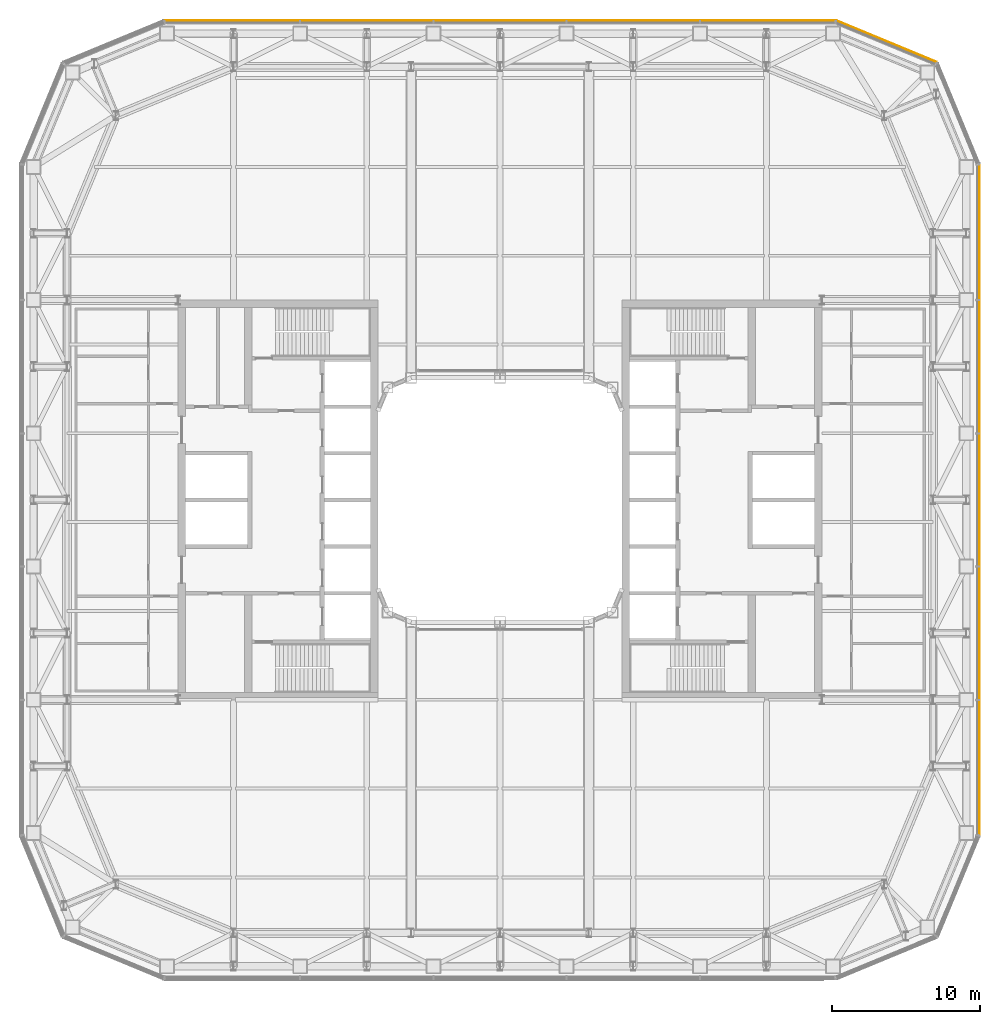
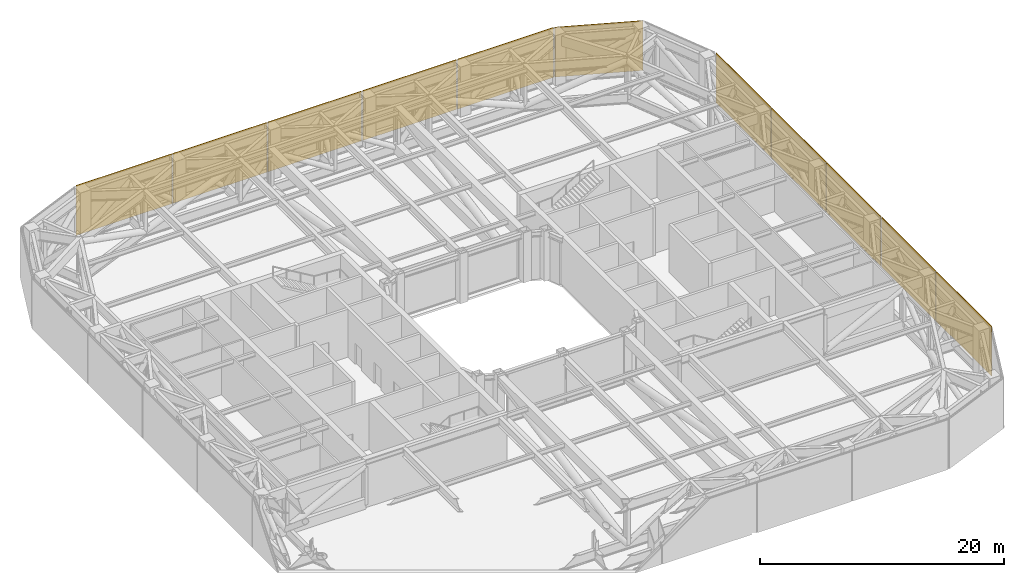
# One storey, part 33 of 33: 11 coverings.
"""IFC4 building model written with IfcOpenShell, lengths in metres."""

from ifc_helpers import new_model, si_unit, direction, frame, origin, origin_2d, place, context, subcontext, project, spatial, rectangle, extrude, material, layer, layer_set, type_object, element, save


model = new_model("IFC4")

# Units and contexts
model_context = context("Model", 3, precision=1e-05, world=origin(), true_north=direction((0.0, 1.0)))
body_context = subcontext(model_context, "Body", "Model", "MODEL_VIEW")
ifc_project = project(units=[si_unit("LENGTHUNIT", "METRE"), si_unit("AREAUNIT", "SQUARE_METRE"), si_unit("VOLUMEUNIT", "CUBIC_METRE"), si_unit("PLANEANGLEUNIT", "RADIAN"), si_unit("MASSUNIT", "GRAM", prefix="KILO")], contexts=[model_context])

# Site, building, storey
site_placement = place(None, origin())
site = spatial("IfcSite", under=ifc_project, at=site_placement, CompositionType="ELEMENT")
building_placement = place(site_placement, origin())
building = spatial("IfcBuilding", under=site, at=building_placement, Name="Siwar Civic Tower", CompositionType="ELEMENT")
storey_placement = place(building_placement, frame((0.0, 0.0, 94.199951171875)))
storey = spatial("IfcBuildingStorey", under=building, at=storey_placement, Name="L20", CompositionType="ELEMENT", Elevation=94.199951171875)

# Coverings
ifc_material = material(Name="Perforated aluminium cassette, pale metal", Category="aluminium")
ifc_layer = layer(ifc_material, 0.0400390625)
ifc_layer_set = layer_set([ifc_layer], Name="Perforated aluminium cassette, pale metal")
covering_type = type_object("IfcCoveringType", Name="ENV-OUTER SKIN OS-1", PredefinedType="CLADDING", material=ifc_layer_set)
covering_1_placement = place(storey_placement, frame((32.39990234375, -18.07958984375, -0.199951171875), z_axis=(0.0, 0.0, 1.0), x_axis=(0.0, 1.0, 0.0)))
element("IfcCovering", 1, at=covering_1_placement, inside=storey, type_object=covering_type, Name="OUTER SKIN OS-1 E 1", PredefinedType="CLADDING", context=body_context, shape_type="SweptSolid", body=[
    extrude(rectangle(XDim=9.05908203125, YDim=0.0400390625, at=origin_2d()), origin(), (0.0, 0.0, 1.0), 5.0),
])
for number, where, z_axis, x_axis, name in (
    (2, (32.39990234375, -9.0, -0.199951171875), (0.0, 0.0, 1.0), (0.0, 1.0, 0.0), "OUTER SKIN OS-1 E 2"),
    (3, (32.39990234375, 0.0, -0.199951171875), (0.0, 0.0, 1.0), (0.0, 1.0, 0.0), "OUTER SKIN OS-1 E 3"),
    (4, (32.39990234375, 9.0, -0.199951171875), (0.0, 0.0, 1.0), (0.0, 1.0, 0.0), "OUTER SKIN OS-1 E 4"),
):
    element("IfcCovering", number, at=place(storey_placement, frame(where, z_axis=z_axis, x_axis=x_axis)), inside=storey, type_object=covering_type, Name=name, PredefinedType="CLADDING", context=body_context, shape_type="SweptSolid", body=[
        extrude(rectangle(XDim=8.89990234375, YDim=0.0400390625, at=origin_2d()), origin(), (0.0, 0.0, 1.0), 5.0),
    ])
covering_2_placement = place(storey_placement, frame((32.39990234375, 18.07958984375, -0.199951171875), z_axis=(0.0, 0.0, 1.0), x_axis=(0.0, 1.0, 0.0)))
element("IfcCovering", 5, at=covering_2_placement, inside=storey, type_object=covering_type, Name="OUTER SKIN OS-1 E 5", PredefinedType="CLADDING", context=body_context, shape_type="SweptSolid", body=[
    extrude(rectangle(XDim=9.05908203125, YDim=0.0400390625, at=origin_2d()), origin(), (0.0, 0.0, 1.0), 5.0),
])
covering_3_placement = place(storey_placement, frame((26.115966796875, 30.976318359375, -0.199951171875), z_axis=(0.0, 0.0, 1.0), x_axis=(-0.923879532511, 0.382683432365, 0.0)))
element("IfcCovering", 6, at=covering_3_placement, inside=storey, type_object=covering_type, Name="OUTER SKIN OS-1 NE2 1", PredefinedType="CLADDING", context=body_context, shape_type="SweptSolid", body=[
    extrude(rectangle(XDim=7.300048828125, YDim=0.0400390625, at=origin_2d()), origin(), (0.0, 0.0, 1.0), 5.0),
])
covering_4_placement = place(storey_placement, frame((18.07958984375, 32.39990234375, -0.199951171875), z_axis=(0.0, 0.0, 1.0), x_axis=(-1.0, 0.0, 0.0)))
element("IfcCovering", 7, at=covering_4_placement, inside=storey, type_object=covering_type, Name="OUTER SKIN OS-1 N 1", PredefinedType="CLADDING", context=body_context, shape_type="SweptSolid", body=[
    extrude(rectangle(XDim=9.05908203125, YDim=0.0400390625, at=origin_2d()), origin(), (0.0, 0.0, 1.0), 5.0),
])
for number, where, z_axis, x_axis, name in (
    (8, (9.0, 32.39990234375, -0.199951171875), (0.0, 0.0, 1.0), (-1.0, 0.0, 0.0), "OUTER SKIN OS-1 N 2"),
    (9, (0.0, 32.39990234375, -0.199951171875), (0.0, 0.0, 1.0), (-1.0, 0.0, 0.0), "OUTER SKIN OS-1 N 3"),
    (10, (-9.0, 32.39990234375, -0.199951171875), (0.0, 0.0, 1.0), (-1.0, 0.0, 0.0), "OUTER SKIN OS-1 N 4"),
):
    element("IfcCovering", number, at=place(storey_placement, frame(where, z_axis=z_axis, x_axis=x_axis)), inside=storey, type_object=covering_type, Name=name, PredefinedType="CLADDING", context=body_context, shape_type="SweptSolid", body=[
        extrude(rectangle(XDim=8.89990234375, YDim=0.0400390625, at=origin_2d()), origin(), (0.0, 0.0, 1.0), 5.0),
    ])
covering_5_placement = place(storey_placement, frame((-18.07958984375, 32.39990234375, -0.199951171875), z_axis=(0.0, 0.0, 1.0), x_axis=(-1.0, 0.0, 0.0)))
element("IfcCovering", 11, at=covering_5_placement, inside=storey, type_object=covering_type, Name="OUTER SKIN OS-1 N 5", PredefinedType="CLADDING", context=body_context, shape_type="SweptSolid", body=[
    extrude(rectangle(XDim=9.05908203125, YDim=0.0400390625, at=origin_2d()), origin(), (0.0, 0.0, 1.0), 5.0),
])

save(model, "model.ifc")
